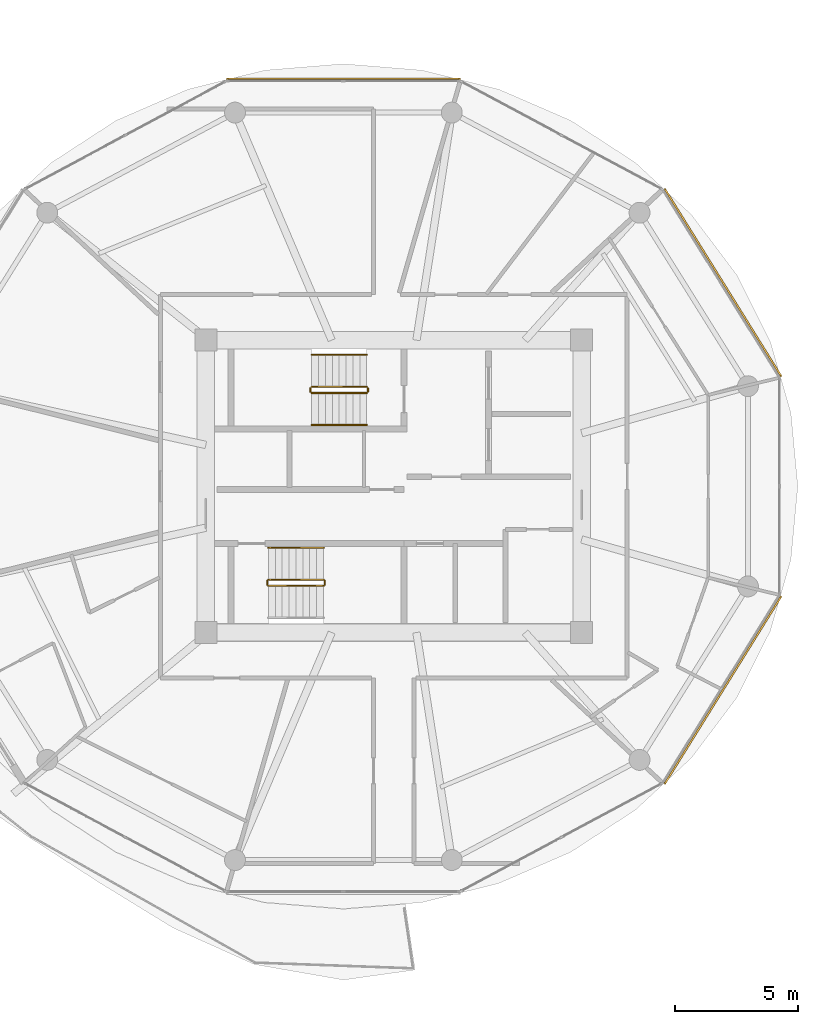
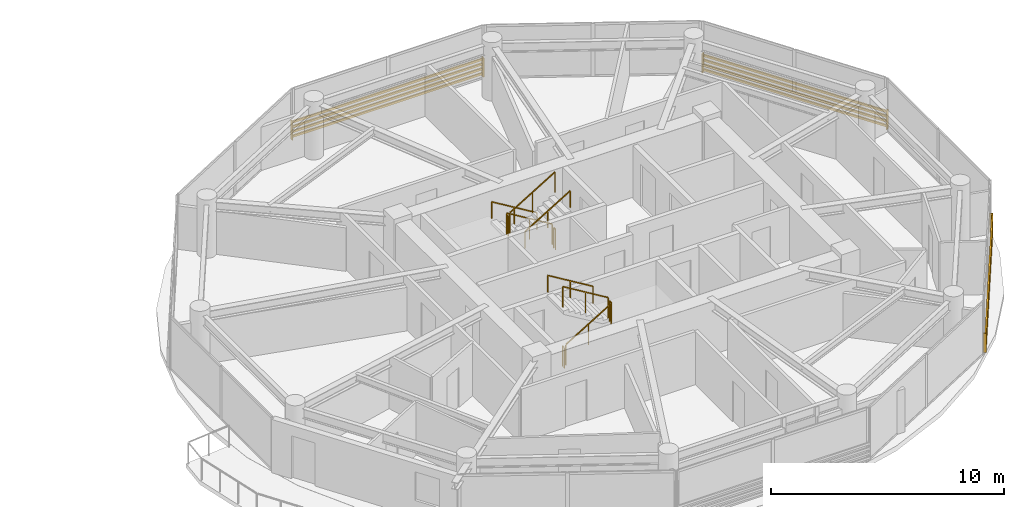
# One storey, part 23 of 23: 11 railings, 3 shading devices.
"""IFC4 building model written with IfcOpenShell, lengths in metres."""

from ifc_helpers import new_model, si_unit, direction, frame, origin, origin_2d, place, context, subcontext, project, spatial, rectangle, extrude, source, transform, mapped, material, type_object, type_shapes, element, save


model = new_model("IFC4")

# Units and contexts
model_context = context("Model", 3, precision=1e-05, world=origin(), true_north=direction((0.0, 1.0)))
body_context = subcontext(model_context, "Body", "Model", "MODEL_VIEW")
ifc_project = project(units=[si_unit("LENGTHUNIT", "METRE"), si_unit("AREAUNIT", "SQUARE_METRE"), si_unit("VOLUMEUNIT", "CUBIC_METRE"), si_unit("PLANEANGLEUNIT", "RADIAN"), si_unit("MASSUNIT", "GRAM", prefix="KILO")], contexts=[model_context])

# Site, building, storey
site_placement = place(None, origin())
site = spatial("IfcSite", under=ifc_project, at=site_placement, CompositionType="ELEMENT")
building_placement = place(site_placement, origin())
building = spatial("IfcBuilding", under=site, at=building_placement, Name="Norrkilde Senior Care Towers", CompositionType="ELEMENT")
storey_placement = place(building_placement, frame((0.0, 0.0, 81.0)))
storey = spatial("IfcBuildingStorey", under=building, at=storey_placement, Name="L24", CompositionType="ELEMENT", Elevation=81.0)

# Railings
ifc_material_1 = material(Name="Stainless Steel", Category="steel")
railing_type_1 = type_object("IfcRailingType", Name="Stair and Terrace Guardrail 1100", PredefinedType="GUARDRAIL", material=ifc_material_1)
railing_1_placement = place(storey_placement, frame((26.89990234375, 4.050048828125, 0.16943359375)))
element("IfcRailing", 1, at=railing_1_placement, inside=storey, type_object=railing_type_1, Name="L24 ST-E1 stair guard 1", PredefinedType="GUARDRAIL", context=body_context, shape_type="SweptSolid", body=[
    extrude(rectangle(XDim=0.048095703125, YDim=0.048095703125, at=origin_2d()), frame((0.0, 0.0, 1.076171875), z_axis=(-0.855553338991, 0.0, 0.51771467445), x_axis=(0.0, -1.0, 0.0)), (0.0, 0.0, 1.0), 2.6181640625),
    extrude(rectangle(XDim=0.0419921875, YDim=0.0419921875, at=origin_2d()), origin(), (0.0, 0.0, 1.0), 1.050048828125),
    extrude(rectangle(XDim=0.0419921875, YDim=0.0419921875, at=origin_2d()), frame((-1.1201171875, 0.0, 0.677734375)), (0.0, 0.0, 1.0), 1.050048828125),
    extrude(rectangle(XDim=0.0419921875, YDim=0.0419921875, at=origin_2d()), frame((-2.239990234375, 0.0, 1.35546875)), (0.0, 0.0, 1.0), 1.050048828125),
])
railing_2_placement = place(storey_placement, frame((24.610107421875, 4.0, 1.52490234375)))
element("IfcRailing", 2, at=railing_2_placement, inside=storey, type_object=railing_type_1, Name="L24 ST-E1 stair guard 2", PredefinedType="GUARDRAIL", context=body_context, shape_type="SweptSolid", body=[
    extrude(rectangle(XDim=0.048095703125, YDim=0.048095703125, at=origin_2d()), frame((0.0, 0.0, 1.076171875), z_axis=(0.0, -1.0, 0.0), x_axis=(1.0, 0.0, 0.0)), (0.0, 0.0, 1.0), 0.14990234375),
    extrude(rectangle(XDim=0.0419921875, YDim=0.0419921875, at=origin_2d()), origin(), (0.0, 0.0, 1.0), 1.050048828125),
    extrude(rectangle(XDim=0.0419921875, YDim=0.0419921875, at=origin_2d()), frame((0.0, -0.14990234375, 0.0)), (0.0, 0.0, 1.0), 1.050048828125),
])
railing_3_placement = place(storey_placement, frame((24.659912109375, 3.800048828125, 1.6943359375)))
element("IfcRailing", 3, at=railing_3_placement, inside=storey, type_object=railing_type_1, Name="L24 ST-E1 stair guard 3", PredefinedType="GUARDRAIL", context=body_context, shape_type="SweptSolid", body=[
    extrude(rectangle(XDim=0.048095703125, YDim=0.048095703125, at=origin_2d()), frame((0.0, 0.0, 1.076171875), z_axis=(0.855512035549, 0.0, 0.517782924622), x_axis=(0.0, 1.0, 0.0)), (0.0, 0.0, 1.0), 2.618408203125),
    extrude(rectangle(XDim=0.0419921875, YDim=0.0419921875, at=origin_2d()), origin(), (0.0, 0.0, 1.0), 1.050048828125),
    extrude(rectangle(XDim=0.0419921875, YDim=0.0419921875, at=origin_2d()), frame((1.1201171875, 0.0, 0.677734375)), (0.0, 0.0, 1.0), 1.050048828125),
    extrude(rectangle(XDim=0.0419921875, YDim=0.0419921875, at=origin_2d()), frame((2.239990234375, 0.0, 1.355712890625)), (0.0, 0.0, 1.0), 1.050048828125),
])
railing_4_placement = place(storey_placement, frame((26.949951171875, 4.0, 0.0)))
element("IfcRailing", 4, at=railing_4_placement, inside=storey, type_object=railing_type_1, Name="L24 ST-E1 stair guard 4", PredefinedType="GUARDRAIL", context=body_context, shape_type="SweptSolid", body=[
    extrude(rectangle(XDim=0.048095703125, YDim=0.048095703125, at=origin_2d()), frame((0.0, 0.0, 1.076171875), z_axis=(0.0, -1.0, 0.0), x_axis=(1.0, 0.0, 0.0)), (0.0, 0.0, 1.0), 0.14990234375),
    extrude(rectangle(XDim=0.0419921875, YDim=0.0419921875, at=origin_2d()), origin(), (0.0, 0.0, 1.0), 1.050048828125),
    extrude(rectangle(XDim=0.0419921875, YDim=0.0419921875, at=origin_2d()), frame((0.0, -0.14990234375, 0.0)), (0.0, 0.0, 1.0), 1.050048828125),
])
railing_5_placement = place(storey_placement, frame((22.89990234375, -4.050048828125, 0.16943359375)))
element("IfcRailing", 5, at=railing_5_placement, inside=storey, type_object=railing_type_1, Name="L24 ST-E2 stair guard 1", PredefinedType="GUARDRAIL", context=body_context, shape_type="SweptSolid", body=[
    extrude(rectangle(XDim=0.048095703125, YDim=0.048095703125, at=origin_2d()), frame((0.0, 0.0, 1.076171875), z_axis=(0.855553338991, 0.0, 0.51771467445), x_axis=(0.0, 1.0, 0.0)), (0.0, 0.0, 1.0), 2.6181640625),
    extrude(rectangle(XDim=0.0419921875, YDim=0.0419921875, at=origin_2d()), origin(), (0.0, 0.0, 1.0), 1.050048828125),
    extrude(rectangle(XDim=0.0419921875, YDim=0.0419921875, at=origin_2d()), frame((1.1201171875, 0.0, 0.677734375)), (0.0, 0.0, 1.0), 1.050048828125),
    extrude(rectangle(XDim=0.0419921875, YDim=0.0419921875, at=origin_2d()), frame((2.239990234375, 0.0, 1.35546875)), (0.0, 0.0, 1.0), 1.050048828125),
])
railing_6_placement = place(storey_placement, frame((25.18994140625, -4.0, 1.52490234375)))
element("IfcRailing", 6, at=railing_6_placement, inside=storey, type_object=railing_type_1, Name="L24 ST-E2 stair guard 2", PredefinedType="GUARDRAIL", context=body_context, shape_type="SweptSolid", body=[
    extrude(rectangle(XDim=0.048095703125, YDim=0.048095703125, at=origin_2d()), frame((0.0, 0.0, 1.076171875), z_axis=(0.0, 1.0, 0.0), x_axis=(-1.0, 0.0, 0.0)), (0.0, 0.0, 1.0), 0.14990234375),
    extrude(rectangle(XDim=0.0419921875, YDim=0.0419921875, at=origin_2d()), origin(), (0.0, 0.0, 1.0), 1.050048828125),
    extrude(rectangle(XDim=0.0419921875, YDim=0.0419921875, at=origin_2d()), frame((0.0, 0.14990234375, 0.0)), (0.0, 0.0, 1.0), 1.050048828125),
])
railing_7_placement = place(storey_placement, frame((25.139892578125, -3.800048828125, 1.6943359375)))
element("IfcRailing", 7, at=railing_7_placement, inside=storey, type_object=railing_type_1, Name="L24 ST-E2 stair guard 3", PredefinedType="GUARDRAIL", context=body_context, shape_type="SweptSolid", body=[
    extrude(rectangle(XDim=0.048095703125, YDim=0.048095703125, at=origin_2d()), frame((0.0, 0.0, 1.076171875), z_axis=(-0.855512035549, 0.0, 0.517782924622), x_axis=(0.0, -1.0, 0.0)), (0.0, 0.0, 1.0), 2.618408203125),
    extrude(rectangle(XDim=0.0419921875, YDim=0.0419921875, at=origin_2d()), origin(), (0.0, 0.0, 1.0), 1.050048828125),
    extrude(rectangle(XDim=0.0419921875, YDim=0.0419921875, at=origin_2d()), frame((-1.1201171875, 0.0, 0.677734375)), (0.0, 0.0, 1.0), 1.050048828125),
    extrude(rectangle(XDim=0.0419921875, YDim=0.0419921875, at=origin_2d()), frame((-2.239990234375, 0.0, 1.355712890625)), (0.0, 0.0, 1.0), 1.050048828125),
])
railing_8_placement = place(storey_placement, frame((22.85009765625, -4.0, 0.0)))
element("IfcRailing", 8, at=railing_8_placement, inside=storey, type_object=railing_type_1, Name="L24 ST-E2 stair guard 4", PredefinedType="GUARDRAIL", context=body_context, shape_type="SweptSolid", body=[
    extrude(rectangle(XDim=0.048095703125, YDim=0.048095703125, at=origin_2d()), frame((0.0, 0.0, 1.076171875), z_axis=(0.0, 1.0, 0.0), x_axis=(-1.0, 0.0, 0.0)), (0.0, 0.0, 1.0), 0.14990234375),
    extrude(rectangle(XDim=0.0419921875, YDim=0.0419921875, at=origin_2d()), origin(), (0.0, 0.0, 1.0), 1.050048828125),
    extrude(rectangle(XDim=0.0419921875, YDim=0.0419921875, at=origin_2d()), frame((0.0, 0.14990234375, 0.0)), (0.0, 0.0, 1.0), 1.050048828125),
])
ifc_material_2 = material(Name="Nordic Ash Timber", Category="wood")
railing_type_2 = type_object("IfcRailingType", Name="Wall and Stair Handrail 900", PredefinedType="HANDRAIL", material=ifc_material_2)
railing_9_placement = place(storey_placement, frame((26.89990234375, 5.35009765625, 0.16943359375)))
element("IfcRailing", 9, at=railing_9_placement, inside=storey, type_object=railing_type_2, Name="L24 ST-E1 stair handrail 1", PredefinedType="HANDRAIL", context=body_context, shape_type="SweptSolid", body=[
    extrude(rectangle(XDim=0.048095703125, YDim=0.048095703125, at=origin_2d()), frame((0.0, 0.0, 0.8759765625), z_axis=(-0.855553338991, 0.0, 0.51771467445), x_axis=(0.0, -1.0, 0.0)), (0.0, 0.0, 1.0), 2.6181640625),
    extrude(rectangle(XDim=0.0419921875, YDim=0.0419921875, at=origin_2d()), origin(), (0.0, 0.0, 1.0), 0.849853515625),
    extrude(rectangle(XDim=0.0419921875, YDim=0.0419921875, at=origin_2d()), frame((-1.1201171875, 0.0, 0.677734375)), (0.0, 0.0, 1.0), 0.849853515625),
    extrude(rectangle(XDim=0.0419921875, YDim=0.0419921875, at=origin_2d()), frame((-2.239990234375, 0.0, 1.35546875)), (0.0, 0.0, 1.0), 0.849853515625),
])
railing_10_placement = place(storey_placement, frame((24.659912109375, 2.5, 1.6943359375)))
element("IfcRailing", 10, at=railing_10_placement, inside=storey, type_object=railing_type_2, Name="L24 ST-E1 stair handrail 2", PredefinedType="HANDRAIL", context=body_context, shape_type="SweptSolid", body=[
    extrude(rectangle(XDim=0.048095703125, YDim=0.048095703125, at=origin_2d()), frame((0.0, 0.0, 0.8759765625), z_axis=(0.855512035549, 0.0, 0.517782924622), x_axis=(0.0, 1.0, 0.0)), (0.0, 0.0, 1.0), 2.618408203125),
    extrude(rectangle(XDim=0.0419921875, YDim=0.0419921875, at=origin_2d()), origin(), (0.0, 0.0, 1.0), 0.849853515625),
    extrude(rectangle(XDim=0.0419921875, YDim=0.0419921875, at=origin_2d()), frame((1.1201171875, 0.0, 0.677734375)), (0.0, 0.0, 1.0), 0.849853515625),
    extrude(rectangle(XDim=0.0419921875, YDim=0.0419921875, at=origin_2d()), frame((2.239990234375, 0.0, 1.355712890625)), (0.0, 0.0, 1.0), 0.849853515625),
])
railing_11_placement = place(storey_placement, frame((25.139892578125, -2.5, 1.6943359375)))
element("IfcRailing", 11, at=railing_11_placement, inside=storey, type_object=railing_type_2, Name="L24 ST-E2 stair handrail 2", PredefinedType="HANDRAIL", context=body_context, shape_type="SweptSolid", body=[
    extrude(rectangle(XDim=0.048095703125, YDim=0.048095703125, at=origin_2d()), frame((0.0, 0.0, 0.8759765625), z_axis=(-0.855512035549, 0.0, 0.517782924622), x_axis=(0.0, -1.0, 0.0)), (0.0, 0.0, 1.0), 2.618408203125),
    extrude(rectangle(XDim=0.0419921875, YDim=0.0419921875, at=origin_2d()), origin(), (0.0, 0.0, 1.0), 0.849853515625),
    extrude(rectangle(XDim=0.0419921875, YDim=0.0419921875, at=origin_2d()), frame((-1.1201171875, 0.0, 0.677734375)), (0.0, 0.0, 1.0), 0.849853515625),
    extrude(rectangle(XDim=0.0419921875, YDim=0.0419921875, at=origin_2d()), frame((-2.239990234375, 0.0, 1.355712890625)), (0.0, 0.0, 1.0), 0.849853515625),
])

# Shading devices
ifc_material_3 = material(Name="Architectural Terracotta", Category="masonry")
shading_device_type = type_object("IfcShadingDeviceType", Name="Horizontal Terracotta Baguette Rack", PredefinedType="USERDEFINED", material=ifc_material_3)
shared_shape_1 = source(origin(), body_context, "Body", "SweptSolid", [
    extrude(rectangle(XDim=0.070068359375, YDim=0.110107421875, at=origin_2d()), frame((0.0, 0.090087890625, 0.125), z_axis=(1.0, 0.0, 0.0), x_axis=(0.0, 1.0, 0.0)), (0.0, 0.0, 1.0), 9.01416015625),
    extrude(rectangle(XDim=0.070068359375, YDim=0.110107421875, at=origin_2d()), frame((0.0, 0.090087890625, 0.375), z_axis=(1.0, 0.0, 0.0), x_axis=(0.0, 1.0, 0.0)), (0.0, 0.0, 1.0), 9.01416015625),
    extrude(rectangle(XDim=0.070068359375, YDim=0.110107421875, at=origin_2d()), frame((0.0, 0.090087890625, 0.625), z_axis=(1.0, 0.0, 0.0), x_axis=(0.0, 1.0, 0.0)), (0.0, 0.0, 1.0), 9.01416015625),
    extrude(rectangle(XDim=0.070068359375, YDim=0.110107421875, at=origin_2d()), frame((0.0, 0.090087890625, 0.875), z_axis=(1.0, 0.0, 0.0), x_axis=(0.0, 1.0, 0.0)), (0.0, 0.0, 1.0), 9.01416015625),
    extrude(rectangle(XDim=0.050048828125, YDim=0.1552734375, at=origin_2d()), frame((0.02490234375, 0.047607421875, 0.0)), (0.0, 0.0, 1.0), 1.0),
    extrude(rectangle(XDim=0.050048828125, YDim=0.1552734375, at=origin_2d()), frame((8.9892578125, 0.047607421875, 0.0)), (0.0, 0.0, 1.0), 1.0),
])
for number, where, z_axis, x_axis, name in (
    (12, (38.946533203125, 12.077392578125, 0.080078125), (0.0, 0.0, 1.0), (0.527734142246, -0.849412274525, 0.0), "L24 Drum E Terracotta Baguette Screen 00"),
    (13, (43.70361328125, -4.420654296875, 0.080078125), (0.0, 0.0, 1.0), (-0.527734142246, -0.849412274525, 0.0), "L24 Drum E Terracotta Baguette Screen 10"),
):
    element("IfcShadingDevice", number, at=place(storey_placement, frame(where, z_axis=z_axis, x_axis=x_axis)), inside=storey, type_object=shading_device_type, Name=name, ObjectType="BAGUETTE", PredefinedType="USERDEFINED", context=body_context, shape_type="MappedRepresentation", body=[
        mapped(shared_shape_1, transform((0.0, 0.0, 0.0), x_axis=(1.0, 0.0, 0.0), y_axis=(0.0, 1.0, 0.0), z_axis=(0.0, 0.0, 1.0), scale=1.0)),
    ])
shared_shape_2 = source(origin(), body_context, "Body", "SweptSolid", [
    extrude(rectangle(XDim=0.070068359375, YDim=0.110107421875, at=origin_2d()), frame((0.0, 0.090087890625, 0.125), z_axis=(1.0, 0.0, 0.0), x_axis=(0.0, 1.0, 0.0)), (0.0, 0.0, 1.0), 9.51416015625),
    extrude(rectangle(XDim=0.070068359375, YDim=0.110107421875, at=origin_2d()), frame((0.0, 0.090087890625, 0.375), z_axis=(1.0, 0.0, 0.0), x_axis=(0.0, 1.0, 0.0)), (0.0, 0.0, 1.0), 9.51416015625),
    extrude(rectangle(XDim=0.070068359375, YDim=0.110107421875, at=origin_2d()), frame((0.0, 0.090087890625, 0.625), z_axis=(1.0, 0.0, 0.0), x_axis=(0.0, 1.0, 0.0)), (0.0, 0.0, 1.0), 9.51416015625),
    extrude(rectangle(XDim=0.070068359375, YDim=0.110107421875, at=origin_2d()), frame((0.0, 0.090087890625, 0.875), z_axis=(1.0, 0.0, 0.0), x_axis=(0.0, 1.0, 0.0)), (0.0, 0.0, 1.0), 9.51416015625),
    extrude(rectangle(XDim=0.050048828125, YDim=0.1552734375, at=origin_2d()), frame((0.02490234375, 0.047607421875, 0.0)), (0.0, 0.0, 1.0), 1.0),
    extrude(rectangle(XDim=0.050048828125, YDim=0.1552734375, at=origin_2d()), frame((9.4892578125, 0.047607421875, 0.0)), (0.0, 0.0, 1.0), 1.0),
])
type_shapes(shading_device_type, [shared_shape_1, shared_shape_2])
shading_device_placement = place(storey_placement, frame((21.19287109375, 16.498046875, 0.080078125), z_axis=(0.0, 0.0, 1.0), x_axis=(1.0, 0.0, 0.0)))
element("IfcShadingDevice", 14, at=shading_device_placement, inside=storey, type_object=shading_device_type, Name="L24 Drum E Terracotta Baguette Screen 02", ObjectType="BAGUETTE", PredefinedType="USERDEFINED", context=body_context, shape_type="MappedRepresentation", body=[
    mapped(shared_shape_2, transform((0.0, 0.0, 0.0), x_axis=(1.0, 0.0, 0.0), y_axis=(0.0, 1.0, 0.0), z_axis=(0.0, 0.0, 1.0), scale=1.0)),
])

save(model, "model.ifc")
